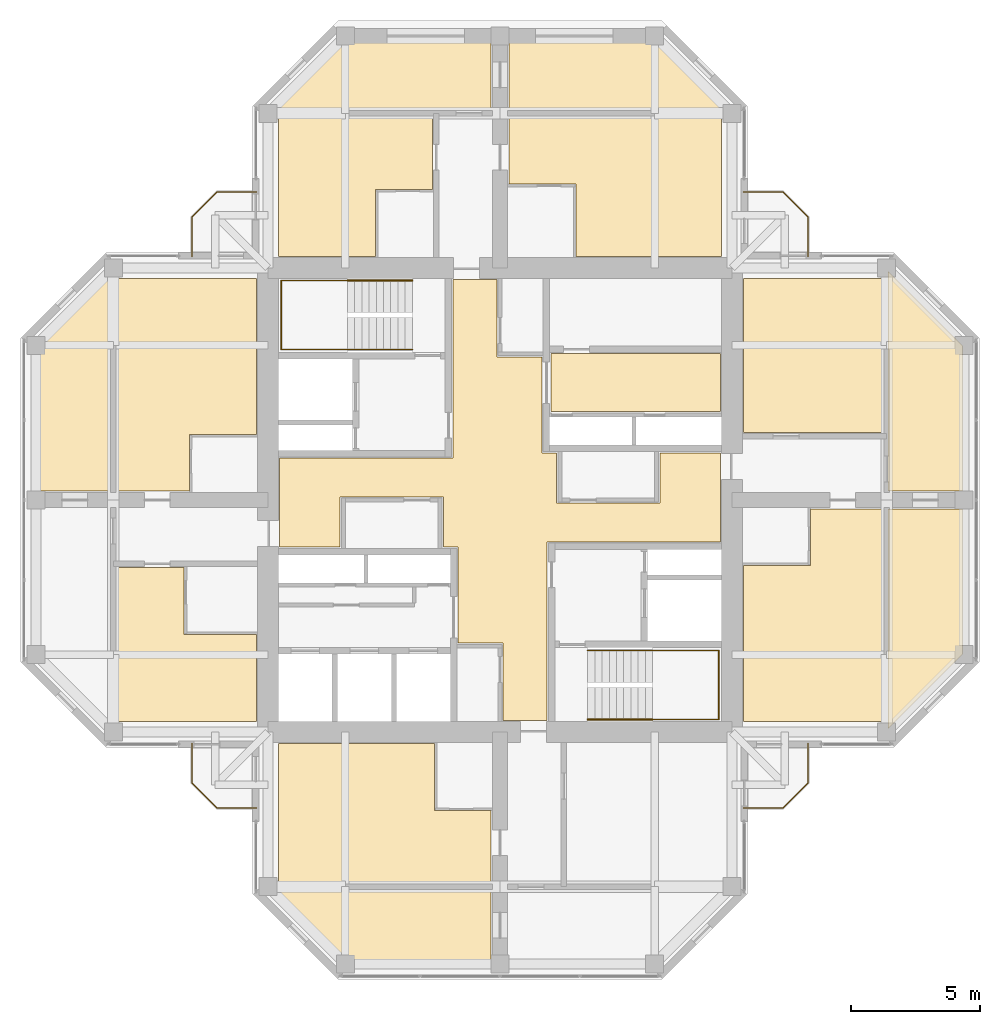
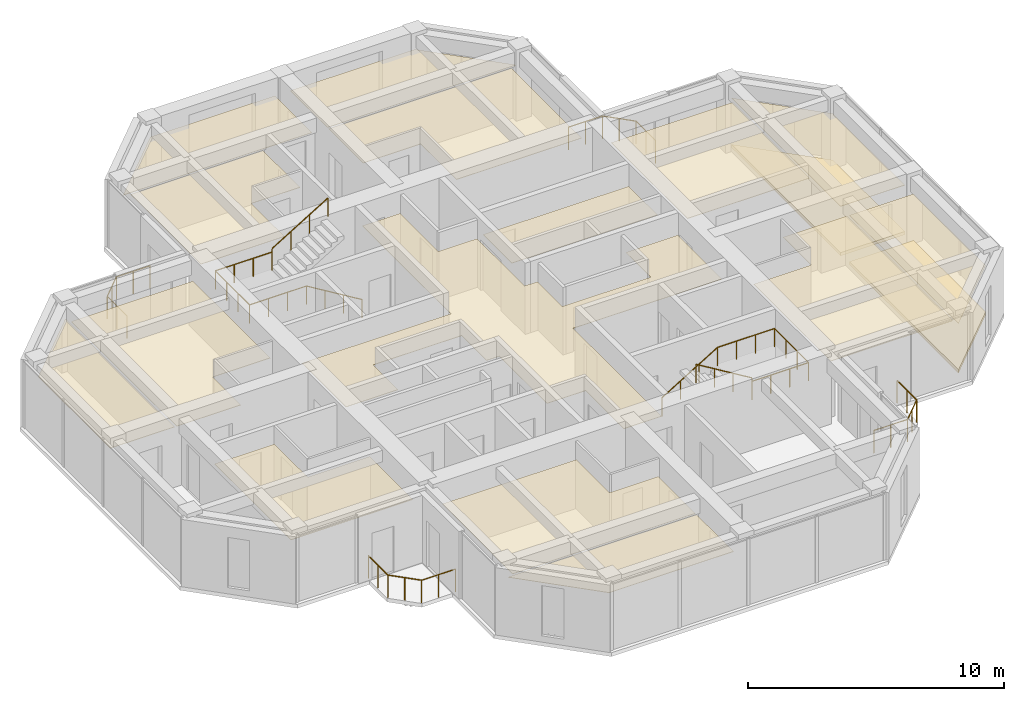
# One storey, part 13 of 13: 17 coverings, 8 railings.
"""IFC4 building model written with IfcOpenShell, lengths in metres."""

from ifc_helpers import new_model, si_unit, direction, frame, origin, origin_2d, place, context, subcontext, project, spatial, polyline, circle, outline, extrude, material, layer, layer_set, constituent, constituent_set, type_object, element, save


model = new_model("IFC4")

# Units and contexts
model_context = context("Model", 3, precision=1e-05, world=origin(), true_north=direction((0.0, 1.0)))
body_context = subcontext(model_context, "Body", "Model", "MODEL_VIEW")
ifc_project = project(units=[si_unit("LENGTHUNIT", "METRE"), si_unit("AREAUNIT", "SQUARE_METRE"), si_unit("VOLUMEUNIT", "CUBIC_METRE"), si_unit("PLANEANGLEUNIT", "RADIAN"), si_unit("MASSUNIT", "GRAM", prefix="KILO")], contexts=[model_context])

# Site, building, storey
site_placement = place(None, origin())
site = spatial("IfcSite", under=ifc_project, at=site_placement, CompositionType="ELEMENT")
building_placement = place(site_placement, origin())
building = spatial("IfcBuilding", under=site, at=building_placement, Name="Torre Cruceta", CompositionType="ELEMENT")
storey_placement = place(building_placement, frame((0.0, 0.0, 274.699951171875)))
storey = spatial("IfcBuildingStorey", under=building, at=storey_placement, Name="L71", CompositionType="ELEMENT", Elevation=274.699951171875)

# Railings
ifc_material_1 = material(Name="Stainless steel 1.4401", Category="steel")
ifc_constituent_1 = constituent(ifc_material_1, Name="Frame")
ifc_material_2 = material(Name="Laminated safety glass", Category="glass")
ifc_constituent_2 = constituent(ifc_material_2, Name="Infill")
ifc_constituent_set_1 = constituent_set(constituents=[ifc_constituent_1, ifc_constituent_2], Name="Stainless steel and laminated glass balustrade")
railing_type_1 = type_object("IfcRailingType", Name="BALCONY BALUSTRADE 1100", PredefinedType="BALUSTRADE", material=ifc_constituent_set_1)
railing_1_placement = place(storey_placement, frame((-9.449951171875, 11.949951171875, 0.0)))
element("IfcRailing", 1, at=railing_1_placement, inside=storey, type_object=railing_type_1, Name="BL1 balcony balustrade L71 N", PredefinedType="BALUSTRADE", context=body_context, shape_type="SweptSolid", body=[
    extrude(circle(Radius=0.02392578125, at=origin_2d()), frame((0.0, 0.0, 1.076171875), z_axis=(-1.0, 0.0, 0.0), x_axis=(0.0, -1.0, 0.0)), (0.0, 0.0, 1.0), 1.529296875),
    extrude(circle(Radius=0.02392578125, at=origin_2d()), frame((-1.529296875, 0.0, 1.076171875), z_axis=(-0.707106781187, -0.707106781187, 0.0), x_axis=(0.707106781187, -0.707106781187, 0.0)), (0.0, 0.0, 1.0), 1.372802734375),
    extrude(circle(Radius=0.02392578125, at=origin_2d()), frame((-2.5, -0.970703125, 1.076171875), z_axis=(0.0, -1.0, 0.0), x_axis=(1.0, 0.0, 0.0)), (0.0, 0.0, 1.0), 1.529296875),
    extrude(circle(Radius=0.02099609375, at=origin_2d()), origin(), (0.0, 0.0, 1.0), 1.052001953125),
    extrude(circle(Radius=0.02099609375, at=origin_2d()), frame((-0.7646484375, 0.0, 0.0)), (0.0, 0.0, 1.0), 1.052001953125),
    extrude(circle(Radius=0.02099609375, at=origin_2d()), frame((-1.529296875, 0.0, 0.0)), (0.0, 0.0, 1.0), 1.052001953125),
    extrude(circle(Radius=0.02099609375, at=origin_2d()), frame((-2.0146484375, -0.4853515625, 0.0)), (0.0, 0.0, 1.0), 1.052001953125),
    extrude(circle(Radius=0.02099609375, at=origin_2d()), frame((-2.5, -0.970703125, 0.0)), (0.0, 0.0, 1.0), 1.052001953125),
    extrude(circle(Radius=0.02099609375, at=origin_2d()), frame((-2.5, -1.7353515625, 0.0)), (0.0, 0.0, 1.0), 1.052001953125),
    extrude(circle(Radius=0.02099609375, at=origin_2d()), frame((-2.5, -2.5, 0.0)), (0.0, 0.0, 1.0), 1.052001953125),
])
railing_2_placement = place(storey_placement, frame((9.449951171875, 11.949951171875, 0.0)))
element("IfcRailing", 2, at=railing_2_placement, inside=storey, type_object=railing_type_1, Name="BL1 balcony balustrade L71 E", PredefinedType="BALUSTRADE", context=body_context, shape_type="SweptSolid", body=[
    extrude(circle(Radius=0.02392578125, at=origin_2d()), frame((0.0, 0.0, 1.076171875), z_axis=(1.0, 0.0, 0.0), x_axis=(0.0, 1.0, 0.0)), (0.0, 0.0, 1.0), 1.529296875),
    extrude(circle(Radius=0.02392578125, at=origin_2d()), frame((1.529296875, 0.0, 1.076171875), z_axis=(0.707106781187, -0.707106781187, 0.0), x_axis=(0.707106781187, 0.707106781187, 0.0)), (0.0, 0.0, 1.0), 1.372802734375),
    extrude(circle(Radius=0.02392578125, at=origin_2d()), frame((2.5, -0.970703125, 1.076171875), z_axis=(0.0, -1.0, 0.0), x_axis=(1.0, 0.0, 0.0)), (0.0, 0.0, 1.0), 1.529296875),
    extrude(circle(Radius=0.02099609375, at=origin_2d()), origin(), (0.0, 0.0, 1.0), 1.052001953125),
    extrude(circle(Radius=0.02099609375, at=origin_2d()), frame((0.7646484375, 0.0, 0.0)), (0.0, 0.0, 1.0), 1.052001953125),
    extrude(circle(Radius=0.02099609375, at=origin_2d()), frame((1.529296875, 0.0, 0.0)), (0.0, 0.0, 1.0), 1.052001953125),
    extrude(circle(Radius=0.02099609375, at=origin_2d()), frame((2.0146484375, -0.4853515625, 0.0)), (0.0, 0.0, 1.0), 1.052001953125),
    extrude(circle(Radius=0.02099609375, at=origin_2d()), frame((2.5, -0.970703125, 0.0)), (0.0, 0.0, 1.0), 1.052001953125),
    extrude(circle(Radius=0.02099609375, at=origin_2d()), frame((2.5, -1.7353515625, 0.0)), (0.0, 0.0, 1.0), 1.052001953125),
    extrude(circle(Radius=0.02099609375, at=origin_2d()), frame((2.5, -2.5, 0.0)), (0.0, 0.0, 1.0), 1.052001953125),
])
railing_3_placement = place(storey_placement, frame((9.449951171875, -11.949951171875, 0.0)))
element("IfcRailing", 3, at=railing_3_placement, inside=storey, type_object=railing_type_1, Name="BL1 balcony balustrade L71 S", PredefinedType="BALUSTRADE", context=body_context, shape_type="SweptSolid", body=[
    extrude(circle(Radius=0.02392578125, at=origin_2d()), frame((0.0, 0.0, 1.076171875), z_axis=(1.0, 0.0, 0.0), x_axis=(0.0, 1.0, 0.0)), (0.0, 0.0, 1.0), 1.529296875),
    extrude(circle(Radius=0.02392578125, at=origin_2d()), frame((1.529296875, 0.0, 1.076171875), z_axis=(0.707106781187, 0.707106781187, 0.0), x_axis=(-0.707106781187, 0.707106781187, 0.0)), (0.0, 0.0, 1.0), 1.372802734375),
    extrude(circle(Radius=0.02392578125, at=origin_2d()), frame((2.5, 0.970703125, 1.076171875), z_axis=(0.0, 1.0, 0.0), x_axis=(-1.0, 0.0, 0.0)), (0.0, 0.0, 1.0), 1.529296875),
    extrude(circle(Radius=0.02099609375, at=origin_2d()), origin(), (0.0, 0.0, 1.0), 1.052001953125),
    extrude(circle(Radius=0.02099609375, at=origin_2d()), frame((0.7646484375, 0.0, 0.0)), (0.0, 0.0, 1.0), 1.052001953125),
    extrude(circle(Radius=0.02099609375, at=origin_2d()), frame((1.529296875, 0.0, 0.0)), (0.0, 0.0, 1.0), 1.052001953125),
    extrude(circle(Radius=0.02099609375, at=origin_2d()), frame((2.0146484375, 0.4853515625, 0.0)), (0.0, 0.0, 1.0), 1.052001953125),
    extrude(circle(Radius=0.02099609375, at=origin_2d()), frame((2.5, 0.970703125, 0.0)), (0.0, 0.0, 1.0), 1.052001953125),
    extrude(circle(Radius=0.02099609375, at=origin_2d()), frame((2.5, 1.7353515625, 0.0)), (0.0, 0.0, 1.0), 1.052001953125),
    extrude(circle(Radius=0.02099609375, at=origin_2d()), frame((2.5, 2.5, 0.0)), (0.0, 0.0, 1.0), 1.052001953125),
])
railing_4_placement = place(storey_placement, frame((-9.449951171875, -11.949951171875, 0.0)))
element("IfcRailing", 4, at=railing_4_placement, inside=storey, type_object=railing_type_1, Name="BL1 balcony balustrade L71 W", PredefinedType="BALUSTRADE", context=body_context, shape_type="SweptSolid", body=[
    extrude(circle(Radius=0.02392578125, at=origin_2d()), frame((0.0, 0.0, 1.076171875), z_axis=(-1.0, 0.0, 0.0), x_axis=(0.0, -1.0, 0.0)), (0.0, 0.0, 1.0), 1.529296875),
    extrude(circle(Radius=0.02392578125, at=origin_2d()), frame((-1.529296875, 0.0, 1.076171875), z_axis=(-0.707106781187, 0.707106781187, 0.0), x_axis=(-0.707106781187, -0.707106781187, 0.0)), (0.0, 0.0, 1.0), 1.372802734375),
    extrude(circle(Radius=0.02392578125, at=origin_2d()), frame((-2.5, 0.970703125, 1.076171875), z_axis=(0.0, 1.0, 0.0), x_axis=(-1.0, 0.0, 0.0)), (0.0, 0.0, 1.0), 1.529296875),
    extrude(circle(Radius=0.02099609375, at=origin_2d()), origin(), (0.0, 0.0, 1.0), 1.052001953125),
    extrude(circle(Radius=0.02099609375, at=origin_2d()), frame((-0.7646484375, 0.0, 0.0)), (0.0, 0.0, 1.0), 1.052001953125),
    extrude(circle(Radius=0.02099609375, at=origin_2d()), frame((-1.529296875, 0.0, 0.0)), (0.0, 0.0, 1.0), 1.052001953125),
    extrude(circle(Radius=0.02099609375, at=origin_2d()), frame((-2.0146484375, 0.4853515625, 0.0)), (0.0, 0.0, 1.0), 1.052001953125),
    extrude(circle(Radius=0.02099609375, at=origin_2d()), frame((-2.5, 0.970703125, 0.0)), (0.0, 0.0, 1.0), 1.052001953125),
    extrude(circle(Radius=0.02099609375, at=origin_2d()), frame((-2.5, 1.7353515625, 0.0)), (0.0, 0.0, 1.0), 1.052001953125),
    extrude(circle(Radius=0.02099609375, at=origin_2d()), frame((-2.5, 2.5, 0.0)), (0.0, 0.0, 1.0), 1.052001953125),
])
ifc_material_3 = material(Name="Stainless steel 1.4401", Category="steel")
railing_type_2 = type_object("IfcRailingType", Name="HANDRAIL 900", PredefinedType="HANDRAIL", material=ifc_material_3)
railing_5_placement = place(storey_placement, frame((-3.39990234375, 5.8349609375, 0.170166015625)))
element("IfcRailing", 5, at=railing_5_placement, inside=storey, type_object=railing_type_2, Name="Handrail HR1 ST1 L71", PredefinedType="HANDRAIL", context=body_context, shape_type="SweptSolid", body=[
    extrude(circle(Radius=0.02392578125, at=origin_2d()), frame((0.0, 0.0, 0.8759765625), z_axis=(-0.854821627497, 0.0, 0.518921945155), x_axis=(0.0, -1.0, 0.0)), (0.0, 0.0, 1.0), 2.947998046875),
    extrude(circle(Radius=0.02392578125, at=origin_2d()), frame((-2.52001953125, 0.0, 2.40576171875), z_axis=(-1.0, 0.0, 0.0), x_axis=(0.0, -1.0, 0.0)), (0.0, 0.0, 1.0), 2.570068359375),
    extrude(circle(Radius=0.02392578125, at=origin_2d()), frame((-5.090087890625, 0.0, 2.40576171875), z_axis=(0.0, 1.0, 0.0), x_axis=(-1.0, 0.0, 0.0)), (0.0, 0.0, 1.0), 2.679931640625),
    extrude(circle(Radius=0.02392578125, at=origin_2d()), frame((-5.090087890625, 2.679931640625, 2.40576171875), z_axis=(1.0, 0.0, 0.0), x_axis=(0.0, 1.0, 0.0)), (0.0, 0.0, 1.0), 2.570068359375),
    extrude(circle(Radius=0.02099609375, at=origin_2d()), origin(), (0.0, 0.0, 1.0), 0.851806640625),
    extrude(circle(Radius=0.02099609375, at=origin_2d()), frame((-0.840087890625, 0.0, 0.510009765625)), (0.0, 0.0, 1.0), 0.851806640625),
    extrude(circle(Radius=0.02099609375, at=origin_2d()), frame((-1.679931640625, 0.0, 1.019775390625)), (0.0, 0.0, 1.0), 0.851806640625),
    extrude(circle(Radius=0.02099609375, at=origin_2d()), frame((-2.52001953125, 0.0, 1.52978515625)), (0.0, 0.0, 1.0), 0.851806640625),
    extrude(circle(Radius=0.02099609375, at=origin_2d()), frame((-3.376708984375, 0.0, 1.52978515625)), (0.0, 0.0, 1.0), 0.851806640625),
    extrude(circle(Radius=0.02099609375, at=origin_2d()), frame((-4.2333984375, 0.0, 1.52978515625)), (0.0, 0.0, 1.0), 0.851806640625),
    extrude(circle(Radius=0.02099609375, at=origin_2d()), frame((-5.090087890625, 0.0, 1.52978515625)), (0.0, 0.0, 1.0), 0.851806640625),
    extrude(circle(Radius=0.02099609375, at=origin_2d()), frame((-5.090087890625, 0.893310546875, 1.52978515625)), (0.0, 0.0, 1.0), 0.851806640625),
    extrude(circle(Radius=0.02099609375, at=origin_2d()), frame((-5.090087890625, 1.78662109375, 1.52978515625)), (0.0, 0.0, 1.0), 0.851806640625),
    extrude(circle(Radius=0.02099609375, at=origin_2d()), frame((-5.090087890625, 2.679931640625, 1.52978515625)), (0.0, 0.0, 1.0), 0.851806640625),
    extrude(circle(Radius=0.02099609375, at=origin_2d()), frame((-4.2333984375, 2.679931640625, 1.52978515625)), (0.0, 0.0, 1.0), 0.851806640625),
    extrude(circle(Radius=0.02099609375, at=origin_2d()), frame((-3.376708984375, 2.679931640625, 1.52978515625)), (0.0, 0.0, 1.0), 0.851806640625),
    extrude(circle(Radius=0.02099609375, at=origin_2d()), frame((-2.52001953125, 2.679931640625, 1.52978515625)), (0.0, 0.0, 1.0), 0.851806640625),
])
railing_6_placement = place(storey_placement, frame((-5.919921875, 8.514892578125, 1.8701171875)))
element("IfcRailing", 6, at=railing_6_placement, inside=storey, type_object=railing_type_2, Name="Handrail HR1 ST1 L71", PredefinedType="HANDRAIL", context=body_context, shape_type="SweptSolid", body=[
    extrude(circle(Radius=0.02392578125, at=origin_2d()), frame((0.0, 0.0, 0.8759765625), z_axis=(0.85478489116, 0.0, 0.518982456201), x_axis=(0.0, 1.0, 0.0)), (0.0, 0.0, 1.0), 2.9482421875),
    extrude(circle(Radius=0.02099609375, at=origin_2d()), origin(), (0.0, 0.0, 1.0), 0.851806640625),
    extrude(circle(Radius=0.02099609375, at=origin_2d()), frame((0.840087890625, 0.0, 0.510009765625)), (0.0, 0.0, 1.0), 0.851806640625),
    extrude(circle(Radius=0.02099609375, at=origin_2d()), frame((1.679931640625, 0.0, 1.02001953125)), (0.0, 0.0, 1.0), 0.851806640625),
    extrude(circle(Radius=0.02099609375, at=origin_2d()), frame((2.52001953125, 0.0, 1.530029296875)), (0.0, 0.0, 1.0), 0.851806640625),
])
railing_7_placement = place(storey_placement, frame((3.39990234375, -5.8349609375, 0.170166015625)))
element("IfcRailing", 7, at=railing_7_placement, inside=storey, type_object=railing_type_2, Name="Handrail HR1 ST2 L71", PredefinedType="HANDRAIL", context=body_context, shape_type="SweptSolid", body=[
    extrude(circle(Radius=0.02392578125, at=origin_2d()), frame((0.0, 0.0, 0.8759765625), z_axis=(0.854821627497, 0.0, 0.518921945155), x_axis=(0.0, 1.0, 0.0)), (0.0, 0.0, 1.0), 2.947998046875),
    extrude(circle(Radius=0.02392578125, at=origin_2d()), frame((2.52001953125, 0.0, 2.40576171875), z_axis=(1.0, 0.0, 0.0), x_axis=(0.0, 1.0, 0.0)), (0.0, 0.0, 1.0), 2.570068359375),
    extrude(circle(Radius=0.02392578125, at=origin_2d()), frame((5.090087890625, 0.0, 2.40576171875), z_axis=(0.0, -1.0, 0.0), x_axis=(1.0, 0.0, 0.0)), (0.0, 0.0, 1.0), 2.679931640625),
    extrude(circle(Radius=0.02392578125, at=origin_2d()), frame((5.090087890625, -2.679931640625, 2.40576171875), z_axis=(-1.0, 0.0, 0.0), x_axis=(0.0, -1.0, 0.0)), (0.0, 0.0, 1.0), 2.570068359375),
    extrude(circle(Radius=0.02099609375, at=origin_2d()), origin(), (0.0, 0.0, 1.0), 0.851806640625),
    extrude(circle(Radius=0.02099609375, at=origin_2d()), frame((0.840087890625, 0.0, 0.510009765625)), (0.0, 0.0, 1.0), 0.851806640625),
    extrude(circle(Radius=0.02099609375, at=origin_2d()), frame((1.679931640625, 0.0, 1.019775390625)), (0.0, 0.0, 1.0), 0.851806640625),
    extrude(circle(Radius=0.02099609375, at=origin_2d()), frame((2.52001953125, 0.0, 1.52978515625)), (0.0, 0.0, 1.0), 0.851806640625),
    extrude(circle(Radius=0.02099609375, at=origin_2d()), frame((3.376708984375, 0.0, 1.52978515625)), (0.0, 0.0, 1.0), 0.851806640625),
    extrude(circle(Radius=0.02099609375, at=origin_2d()), frame((4.2333984375, 0.0, 1.52978515625)), (0.0, 0.0, 1.0), 0.851806640625),
    extrude(circle(Radius=0.02099609375, at=origin_2d()), frame((5.090087890625, 0.0, 1.52978515625)), (0.0, 0.0, 1.0), 0.851806640625),
    extrude(circle(Radius=0.02099609375, at=origin_2d()), frame((5.090087890625, -0.893310546875, 1.52978515625)), (0.0, 0.0, 1.0), 0.851806640625),
    extrude(circle(Radius=0.02099609375, at=origin_2d()), frame((5.090087890625, -1.78662109375, 1.52978515625)), (0.0, 0.0, 1.0), 0.851806640625),
    extrude(circle(Radius=0.02099609375, at=origin_2d()), frame((5.090087890625, -2.679931640625, 1.52978515625)), (0.0, 0.0, 1.0), 0.851806640625),
    extrude(circle(Radius=0.02099609375, at=origin_2d()), frame((4.2333984375, -2.679931640625, 1.52978515625)), (0.0, 0.0, 1.0), 0.851806640625),
    extrude(circle(Radius=0.02099609375, at=origin_2d()), frame((3.376708984375, -2.679931640625, 1.52978515625)), (0.0, 0.0, 1.0), 0.851806640625),
    extrude(circle(Radius=0.02099609375, at=origin_2d()), frame((2.52001953125, -2.679931640625, 1.52978515625)), (0.0, 0.0, 1.0), 0.851806640625),
])
railing_8_placement = place(storey_placement, frame((5.919921875, -8.514892578125, 1.8701171875)))
element("IfcRailing", 8, at=railing_8_placement, inside=storey, type_object=railing_type_2, Name="Handrail HR1 ST2 L71", PredefinedType="HANDRAIL", context=body_context, shape_type="SweptSolid", body=[
    extrude(circle(Radius=0.02392578125, at=origin_2d()), frame((0.0, 0.0, 0.8759765625), z_axis=(-0.85478489116, 0.0, 0.518982456201), x_axis=(0.0, -1.0, 0.0)), (0.0, 0.0, 1.0), 2.9482421875),
    extrude(circle(Radius=0.02099609375, at=origin_2d()), origin(), (0.0, 0.0, 1.0), 0.851806640625),
    extrude(circle(Radius=0.02099609375, at=origin_2d()), frame((-0.840087890625, 0.0, 0.510009765625)), (0.0, 0.0, 1.0), 0.851806640625),
    extrude(circle(Radius=0.02099609375, at=origin_2d()), frame((-1.679931640625, 0.0, 1.02001953125)), (0.0, 0.0, 1.0), 0.851806640625),
    extrude(circle(Radius=0.02099609375, at=origin_2d()), frame((-2.52001953125, 0.0, 1.530029296875)), (0.0, 0.0, 1.0), 0.851806640625),
])

# Coverings
ifc_material_4 = material(Name="Steel DX51D", Category="steel")
ifc_constituent_3 = constituent(ifc_material_4, Name="Panel casing")
ifc_material_5 = material(Name="Calcium sulphate", Category="gypsum")
ifc_constituent_4 = constituent(ifc_material_5, Name="Panel core")
ifc_constituent_set_2 = constituent_set(constituents=[ifc_constituent_3, ifc_constituent_4], Name="Raised access floor panel")
covering_type_1 = type_object("IfcCoveringType", Name="RAISED ACCESS FLOOR 150", PredefinedType="FLOORING", material=ifc_constituent_set_2)
covering_1_placement = place(storey_placement, origin())
element("IfcCovering", 9, at=covering_1_placement, inside=storey, type_object=covering_type_1, Name="Raised floor L71-036", PredefinedType="FLOORING", context=body_context, shape_type="SweptSolid", body=[
    extrude(outline(polyline([(17.949951171875, 5.979248046875), (17.949951171875, 0.35009765625), (15.050048828125, 0.35009765625), (15.050048828125, 8.87939453125), (17.949951171875, 5.979248046875)])), origin(), (0.0, 0.0, 1.0), 0.150146484375),
])
covering_2_placement = place(storey_placement, origin())
element("IfcCovering", 10, at=covering_2_placement, inside=storey, type_object=covering_type_1, Name="Raised floor L71-037", PredefinedType="FLOORING", context=body_context, shape_type="SweptSolid", body=[
    extrude(outline(polyline([(15.050048828125, -8.87939453125), (15.050048828125, -0.35009765625), (17.949951171875, -0.35009765625), (17.949951171875, -5.979248046875), (15.050048828125, -8.87939453125)])), origin(), (0.0, 0.0, 1.0), 0.150146484375),
])
ifc_material_6 = material(Name="Mineral fibre ceiling tile", Category="gypsum")
ifc_layer = layer(ifc_material_6, 0.02001953125)
ifc_layer_set = layer_set([ifc_layer], Name="Mineral fibre ceiling tile")
covering_type_2 = type_object("IfcCoveringType", Name="SUSPENDED CEILING 20", PredefinedType="CEILING", material=ifc_layer_set)
covering_3_placement = place(storey_placement, frame((0.0, 0.0, 2.35009765625)))
element("IfcCovering", 11, at=covering_3_placement, inside=storey, type_object=covering_type_2, Name="Ceiling L71-002", PredefinedType="CEILING", context=body_context, shape_type="SweptSolid", body=[
    extrude(outline(polyline([(1.824951171875, -8.550048828125), (0.125, -8.550048828125), (0.125, -5.550048828125), (-1.625, -5.550048828125), (-1.625, -1.824951171875), (-2.199951171875, -1.824951171875), (-2.199951171875, 0.125), (-6.199951171875, 0.125), (-6.199951171875, -1.824951171875), (-8.550048828125, -1.824951171875), (-8.550048828125, 1.625), (-1.824951171875, 1.625), (-1.824951171875, 8.550048828125), (-0.125, 8.550048828125), (-0.125, 5.550048828125), (1.625, 5.550048828125), (1.625, 1.824951171875), (2.199951171875, 1.824951171875), (2.199951171875, -0.125), (6.199951171875, -0.125), (6.199951171875, 1.824951171875), (8.550048828125, 1.824951171875), (8.550048828125, -1.625), (1.824951171875, -1.625), (1.824951171875, -8.550048828125)])), origin(), (0.0, 0.0, 1.0), 0.02001953125),
])
covering_4_placement = place(storey_placement, frame((0.0, 0.0, 2.35009765625)))
element("IfcCovering", 12, at=covering_4_placement, inside=storey, type_object=covering_type_2, Name="Ceiling L71-007", PredefinedType="CEILING", context=body_context, shape_type="SweptSolid", body=[
    extrude(outline(polyline([(1.97509765625, 3.425048828125), (1.97509765625, 5.675048828125), (8.550048828125, 5.675048828125), (8.550048828125, 3.425048828125), (1.97509765625, 3.425048828125)])), origin(), (0.0, 0.0, 1.0), 0.02001953125),
])
covering_5_placement = place(storey_placement, frame((0.0, 0.0, 2.35009765625)))
element("IfcCovering", 13, at=covering_5_placement, inside=storey, type_object=covering_type_2, Name="Ceiling L71-026", PredefinedType="CEILING", context=body_context, shape_type="SweptSolid", body=[
    extrude(outline(polyline([(-8.60009765625, 9.449951171875), (-8.60009765625, 14.949951171875), (-2.625, 14.949951171875), (-2.625, 12.050048828125), (-4.824951171875, 12.050048828125), (-4.824951171875, 9.449951171875), (-8.60009765625, 9.449951171875)])), origin(), (0.0, 0.0, 1.0), 0.02001953125),
])
covering_6_placement = place(storey_placement, frame((0.0, 0.0, 2.35009765625)))
element("IfcCovering", 14, at=covering_6_placement, inside=storey, type_object=covering_type_2, Name="Ceiling L71-028", PredefinedType="CEILING", context=body_context, shape_type="SweptSolid", body=[
    extrude(outline(polyline([(0.35009765625, 14.949951171875), (8.60009765625, 14.949951171875), (8.60009765625, 9.449951171875), (2.949951171875, 9.449951171875), (2.949951171875, 12.25), (0.35009765625, 12.25), (0.35009765625, 14.949951171875)])), origin(), (0.0, 0.0, 1.0), 0.02001953125),
])
covering_7_placement = place(storey_placement, frame((0.0, 0.0, 2.35009765625)))
element("IfcCovering", 15, at=covering_7_placement, inside=storey, type_object=covering_type_2, Name="Ceiling L71-030", PredefinedType="CEILING", context=body_context, shape_type="SweptSolid", body=[
    extrude(outline(polyline([(-5.979248046875, 17.949951171875), (-0.35009765625, 17.949951171875), (-0.35009765625, 15.050048828125), (-8.87939453125, 15.050048828125), (-5.979248046875, 17.949951171875)])), origin(), (0.0, 0.0, 1.0), 0.02001953125),
])
covering_8_placement = place(storey_placement, frame((0.0, 0.0, 2.35009765625)))
element("IfcCovering", 16, at=covering_8_placement, inside=storey, type_object=covering_type_2, Name="Ceiling L71-031", PredefinedType="CEILING", context=body_context, shape_type="SweptSolid", body=[
    extrude(outline(polyline([(8.87939453125, 15.050048828125), (0.35009765625, 15.050048828125), (0.35009765625, 17.949951171875), (5.979248046875, 17.949951171875), (8.87939453125, 15.050048828125)])), origin(), (0.0, 0.0, 1.0), 0.02001953125),
])
covering_9_placement = place(storey_placement, frame((0.0, 0.0, 2.35009765625)))
element("IfcCovering", 17, at=covering_9_placement, inside=storey, type_object=covering_type_2, Name="Ceiling L71-033", PredefinedType="CEILING", context=body_context, shape_type="SweptSolid", body=[
    extrude(outline(polyline([(9.449951171875, 2.625), (9.449951171875, 8.60009765625), (14.949951171875, 8.60009765625), (14.949951171875, 2.625), (9.449951171875, 2.625)])), origin(), (0.0, 0.0, 1.0), 0.02001953125),
])
covering_10_placement = place(storey_placement, frame((0.0, 0.0, 2.35009765625)))
element("IfcCovering", 18, at=covering_10_placement, inside=storey, type_object=covering_type_2, Name="Ceiling L71-034", PredefinedType="CEILING", context=body_context, shape_type="SweptSolid", body=[
    extrude(outline(polyline([(14.949951171875, -0.35009765625), (14.949951171875, -8.60009765625), (9.449951171875, -8.60009765625), (9.449951171875, -2.550048828125), (12.050048828125, -2.550048828125), (12.050048828125, -0.35009765625), (14.949951171875, -0.35009765625)])), origin(), (0.0, 0.0, 1.0), 0.02001953125),
])
covering_11_placement = place(storey_placement, frame((0.0, 0.0, 2.35009765625)))
element("IfcCovering", 19, at=covering_11_placement, inside=storey, type_object=covering_type_2, Name="Ceiling L71-036", PredefinedType="CEILING", context=body_context, shape_type="SweptSolid", body=[
    extrude(outline(polyline([(17.949951171875, 5.979248046875), (17.949951171875, 0.35009765625), (15.050048828125, 0.35009765625), (15.050048828125, 8.87939453125), (17.949951171875, 5.979248046875)])), origin(), (0.0, 0.0, 1.0), 0.02001953125),
])
covering_12_placement = place(storey_placement, frame((0.0, 0.0, 2.35009765625)))
element("IfcCovering", 20, at=covering_12_placement, inside=storey, type_object=covering_type_2, Name="Ceiling L71-037", PredefinedType="CEILING", context=body_context, shape_type="SweptSolid", body=[
    extrude(outline(polyline([(15.050048828125, -8.87939453125), (15.050048828125, -0.35009765625), (17.949951171875, -0.35009765625), (17.949951171875, -5.979248046875), (15.050048828125, -8.87939453125)])), origin(), (0.0, 0.0, 1.0), 0.02001953125),
])
covering_13_placement = place(storey_placement, frame((0.0, 0.0, 2.35009765625)))
element("IfcCovering", 21, at=covering_13_placement, inside=storey, type_object=covering_type_2, Name="Ceiling L71-040", PredefinedType="CEILING", context=body_context, shape_type="SweptSolid", body=[
    extrude(outline(polyline([(-0.35009765625, -14.949951171875), (-8.60009765625, -14.949951171875), (-8.60009765625, -9.449951171875), (-2.550048828125, -9.449951171875), (-2.550048828125, -12.050048828125), (-0.35009765625, -12.050048828125), (-0.35009765625, -14.949951171875)])), origin(), (0.0, 0.0, 1.0), 0.02001953125),
])
covering_14_placement = place(storey_placement, frame((0.0, 0.0, 2.35009765625)))
element("IfcCovering", 22, at=covering_14_placement, inside=storey, type_object=covering_type_2, Name="Ceiling L71-043", PredefinedType="CEILING", context=body_context, shape_type="SweptSolid", body=[
    extrude(outline(polyline([(-8.87939453125, -15.050048828125), (-0.35009765625, -15.050048828125), (-0.35009765625, -17.949951171875), (-5.979248046875, -17.949951171875), (-8.87939453125, -15.050048828125)])), origin(), (0.0, 0.0, 1.0), 0.02001953125),
])
covering_15_placement = place(storey_placement, frame((0.0, 0.0, 2.35009765625)))
element("IfcCovering", 23, at=covering_15_placement, inside=storey, type_object=covering_type_2, Name="Ceiling L71-045", PredefinedType="CEILING", context=body_context, shape_type="SweptSolid", body=[
    extrude(outline(polyline([(-9.449951171875, -8.60009765625), (-14.949951171875, -8.60009765625), (-14.949951171875, -2.625), (-12.25, -2.625), (-12.25, -5.22509765625), (-9.449951171875, -5.22509765625), (-9.449951171875, -8.60009765625)])), origin(), (0.0, 0.0, 1.0), 0.02001953125),
])
covering_16_placement = place(storey_placement, frame((0.0, 0.0, 2.35009765625)))
element("IfcCovering", 24, at=covering_16_placement, inside=storey, type_object=covering_type_2, Name="Ceiling L71-047", PredefinedType="CEILING", context=body_context, shape_type="SweptSolid", body=[
    extrude(outline(polyline([(-14.949951171875, 0.35009765625), (-14.949951171875, 8.60009765625), (-9.449951171875, 8.60009765625), (-9.449951171875, 2.550048828125), (-12.050048828125, 2.550048828125), (-12.050048828125, 0.35009765625), (-14.949951171875, 0.35009765625)])), origin(), (0.0, 0.0, 1.0), 0.02001953125),
])
covering_17_placement = place(storey_placement, frame((0.0, 0.0, 2.35009765625)))
element("IfcCovering", 25, at=covering_17_placement, inside=storey, type_object=covering_type_2, Name="Ceiling L71-050", PredefinedType="CEILING", context=body_context, shape_type="SweptSolid", body=[
    extrude(outline(polyline([(-15.050048828125, 8.87939453125), (-15.050048828125, 0.35009765625), (-17.949951171875, 0.35009765625), (-17.949951171875, 5.979248046875), (-15.050048828125, 8.87939453125)])), origin(), (0.0, 0.0, 1.0), 0.02001953125),
])

save(model, "model.ifc")
